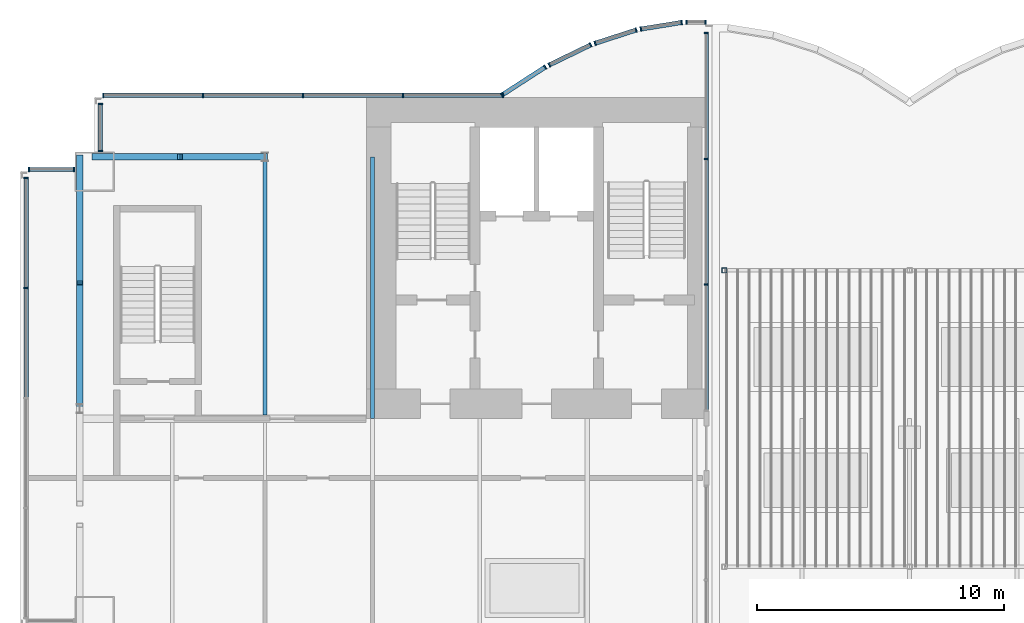
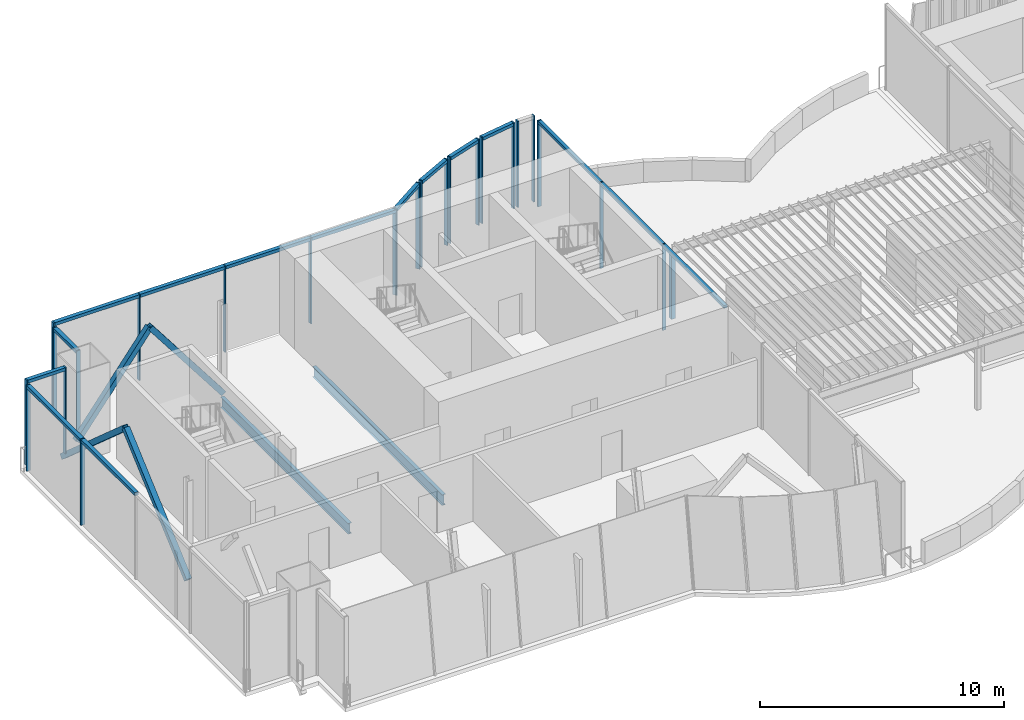
# One storey, part 5 of 18: 44 members, 2 beams, 11 elements without a shape of their own.
"""IFC4 building model written with IfcOpenShell, lengths in metres."""

import ifcopenshell
import ifcopenshell.guid

model = None  # the IFC model being written
_history = None  # IfcOwnerHistory: only IFC2X3 demands one
_inside = {}  # id of a spatial element -> (the spatial element, [elements in it])
_under = {}  # id of a project, library or spatial element -> (it, [spatial elements below it])
_declared = {}  # id of a project -> (the project, [libraries it declares])
_typed = {}  # id of a type object -> (the type object, [elements of that type])
_made_of = {}  # id of a material, layer set ... -> (it, [elements and type objects made of it])


def new_model(schema):
    """Start an empty IFC model of exactly this schema.

    Asked for "IFC4X3", IfcOpenShell would pick the latest addendum, in which some entities
    have other attributes; the version numbers below select the first issue.
    IFC2X3 requires an IfcOwnerHistory on every rooted entity: one is made here for all.
    """
    global model, _history
    if schema == "IFC4X3":
        model = ifcopenshell.file(schema_version=(4, 3, 0, 0))
    else:
        model = ifcopenshell.file(schema=schema)
    _inside.clear()
    _under.clear()
    _declared.clear()
    _typed.clear()
    _made_of.clear()
    _history = None
    if model.schema == "IFC2X3":
        org = make("IfcOrganization", Name="unknown")
        user = make(
            "IfcPersonAndOrganization",
            ThePerson=make("IfcPerson", FamilyName="unknown"),
            TheOrganization=org,
        )
        app = make(
            "IfcApplication",
            ApplicationDeveloper=org,
            Version="unknown",
            ApplicationFullName="unknown",
            ApplicationIdentifier="unknown",
        )
        _history = make(
            "IfcOwnerHistory",
            OwningUser=user,
            OwningApplication=app,
            ChangeAction="ADDED",
            CreationDate=0,
        )
    return model


def make(cls, **values):
    """One entity of the class cls with the attributes given. An attribute that is None is left unset."""
    return model.create_entity(
        cls, **{name: value for name, value in values.items() if value is not None}
    )


def rooted(cls, **values):
    """An entity with a GlobalId (a new one), such as an element, a storey or a relation."""
    return make(cls, GlobalId=ifcopenshell.guid.new(), OwnerHistory=_history, **values)


def si_unit(unit_type, name, prefix=None):
    """IfcSIUnit, for example si_unit("LENGTHUNIT", "METRE", prefix="MILLI")."""
    return make("IfcSIUnit", UnitType=unit_type, Prefix=prefix, Name=name)


def assignment(units):
    """IfcUnitAssignment: the units of a project."""
    return None if units is None else make("IfcUnitAssignment", Units=units)


def point(xyz):
    """IfcCartesianPoint."""
    return None if xyz is None else make("IfcCartesianPoint", Coordinates=xyz)


def direction(xyz):
    """IfcDirection."""
    return None if xyz is None else make("IfcDirection", DirectionRatios=xyz)


def frame(location, z_axis=None, x_axis=None):
    """IfcAxis2Placement3D, a coordinate frame: its origin and axes. An axis left out is left unset."""
    return make(
        "IfcAxis2Placement3D",
        Location=point(location),
        Axis=direction(z_axis),
        RefDirection=direction(x_axis),
    )


def frame_2d(location, x_axis=None):
    """IfcAxis2Placement2D, a coordinate frame in the plane: its origin and x axis."""
    return make(
        "IfcAxis2Placement2D", Location=point(location), RefDirection=direction(x_axis)
    )


def origin():
    """The frame at (0, 0, 0) with its axes left unset."""
    return frame((0.0, 0.0, 0.0))


def origin_2d():
    """The frame at (0, 0) in the plane with its x axis left unset."""
    return frame_2d((0.0, 0.0))


def place(relative_to, where):
    """IfcLocalPlacement: puts the frame where relative to a parent placement (None: the world)."""
    return make(
        "IfcLocalPlacement", PlacementRelTo=relative_to, RelativePlacement=where
    )


def context(
    kind, dimensions, precision=None, world=None, true_north=None, identifier=None
):
    """IfcGeometricRepresentationContext, for example the 3D "Model" context."""
    return make(
        "IfcGeometricRepresentationContext",
        ContextIdentifier=identifier,
        ContextType=kind,
        CoordinateSpaceDimension=dimensions,
        Precision=precision,
        WorldCoordinateSystem=world,
        TrueNorth=true_north,
    )


def subcontext(parent, identifier, kind, view, scale=None):
    """IfcGeometricRepresentationSubContext, for example "Body" below "Model"."""
    return make(
        "IfcGeometricRepresentationSubContext",
        ContextIdentifier=identifier,
        ContextType=kind,
        ParentContext=parent,
        TargetScale=scale,
        TargetView=view,
    )


def project(units=None, contexts=None):
    """IfcProject with its units and contexts."""
    return rooted(
        "IfcProject",
        Name="project",
        RepresentationContexts=contexts,
        UnitsInContext=assignment(units),
    )


def spatial(cls, under=None, at=None, **own):
    """A site, building, storey or space (cls), placed at a placement, below another one or the project."""
    s = rooted(cls, ObjectPlacement=at, **own)
    if under is not None:
        _under.setdefault(under.id(), (under, []))[1].append(s)
    return s


def profile(cls, at=None, kind="AREA", **sizes):
    """A parametric profile (cls). Its sizes go by their IFC names, for example OverallWidth=200.0."""
    return make(cls, ProfileType=kind, Position=at, **sizes)


def rectangle(**sizes):
    """IfcRectangleProfileDef."""
    return profile("IfcRectangleProfileDef", **sizes)


def hollow_rectangle(**sizes):
    """IfcRectangleHollowProfileDef."""
    return profile("IfcRectangleHollowProfileDef", **sizes)


def i_section(**sizes):
    """IfcIShapeProfileDef."""
    return profile("IfcIShapeProfileDef", **sizes)


def extrude(swept, where, along, depth):
    """IfcExtrudedAreaSolid: the profile swept, set in the frame where, extruded along a direction by depth."""
    return make(
        "IfcExtrudedAreaSolid",
        SweptArea=swept,
        Position=where,
        ExtrudedDirection=direction(along),
        Depth=depth,
    )


def shape(context_of_items, identifier, shape_type, items):
    """IfcShapeRepresentation: the items that make up one representation, for example the "Body"."""
    return make(
        "IfcShapeRepresentation",
        ContextOfItems=context_of_items,
        RepresentationIdentifier=identifier,
        RepresentationType=shape_type,
        Items=items,
    )


def material(Name=None, Category=None):
    """IfcMaterial."""
    return make("IfcMaterial", Name=Name, Category=Category)


def material_profile(
    of_material, cross_section, Name=None, Category=None, Priority=None
):
    """IfcMaterialProfile: a cross section and its material."""
    return make(
        "IfcMaterialProfile",
        Name=Name,
        Material=of_material,
        Profile=cross_section,
        Priority=Priority,
        Category=Category,
    )


def profile_set(profiles, Name=None, composite=None):
    """IfcMaterialProfileSet."""
    return make(
        "IfcMaterialProfileSet",
        Name=Name,
        MaterialProfiles=profiles,
        CompositeProfile=composite,
    )


def made_of(thing, what):
    """Note that an element or type object is made of a material, layer set ...; save() writes the relation."""
    if what is not None:
        _made_of.setdefault(what.id(), (what, []))[1].append(thing)
    return thing


def type_object(cls, material=None, **own):
    """A type object (cls), such as IfcWallType, which elements share."""
    return made_of(rooted(cls, **own), material)


def element(
    cls,
    number,
    at=None,
    inside=None,
    cuts=None,
    type_object=None,
    material=None,
    context=None,
    identifier="Body",
    shape_type=None,
    held_by="IfcProductDefinitionShape",
    body=None,
    shapes=None,
    **own,
):
    """One element of the class cls, such as IfcWall. Its Tag is "e" and its number.

    at: its placement. inside: the storey or other place that contains it. cuts: it is an
    opening in that element (IfcRelVoidsElement). A single representation is given by context,
    identifier, shape_type and body (its items); several are given by shapes. held_by: the class
    of the entity that holds the representations. save() writes the other relations.
    """
    e = rooted(cls, Tag="e%d" % number, ObjectPlacement=at, **own)
    if body is not None:
        shapes = [shape(context, identifier, shape_type, body)]
    if shapes is not None:
        e.Representation = make(held_by, Representations=shapes)
    if inside is not None:
        _inside.setdefault(inside.id(), (inside, []))[1].append(e)
    if cuts is not None:
        rooted(
            "IfcRelVoidsElement", RelatingBuildingElement=cuts, RelatedOpeningElement=e
        )
    if type_object is not None:
        _typed.setdefault(type_object.id(), (type_object, []))[1].append(e)
    return made_of(e, material)


def aggregate(whole, parts):
    """IfcRelAggregates: a whole, such as a stair, and the parts it consists of."""
    return rooted("IfcRelAggregates", RelatingObject=whole, RelatedObjects=parts)


def save(model, path):
    """Write the relations noted so far, then the file.

    IfcRelAggregates (storeys below a building ...), IfcRelContainedInSpatialStructure (elements
    in a storey), IfcRelDefinesByType, IfcRelAssociatesMaterial and IfcRelDeclares: one each for
    every whole, place, type object, material and project.
    """
    for whole, parts in _under.values():
        aggregate(whole, parts)
    for where, things in _inside.values():
        rooted(
            "IfcRelContainedInSpatialStructure",
            RelatedElements=things,
            RelatingStructure=where,
        )
    for kind, things in _typed.values():
        rooted("IfcRelDefinesByType", RelatedObjects=things, RelatingType=kind)
    for what, things in _made_of.values():
        rooted("IfcRelAssociatesMaterial", RelatedObjects=things, RelatingMaterial=what)
    for by, libraries in _declared.values():
        rooted("IfcRelDeclares", RelatingContext=by, RelatedDefinitions=libraries)
    model.write(path)


model = new_model("IFC4")

# Units and contexts
model_context = context("Model", 3, precision=1e-05, world=origin(), true_north=direction((0.0, 1.0)))
body_context = subcontext(model_context, "Body", "Model", "MODEL_VIEW")
ifc_project = project(units=[si_unit("LENGTHUNIT", "METRE"), si_unit("AREAUNIT", "SQUARE_METRE"), si_unit("VOLUMEUNIT", "CUBIC_METRE"), si_unit("PLANEANGLEUNIT", "RADIAN"), si_unit("MASSUNIT", "GRAM", prefix="KILO")], contexts=[model_context])

# Site, building, storey
site_placement = place(None, origin())
site = spatial("IfcSite", under=ifc_project, at=site_placement, CompositionType="ELEMENT")
building_placement = place(site_placement, origin())
building = spatial("IfcBuilding", under=site, at=building_placement, Name="Bicima Exchange Tower", CompositionType="ELEMENT")
storey_placement = place(building_placement, frame((0.0, 0.0, 347.89990234375)))
storey = spatial("IfcBuildingStorey", under=building, at=storey_placement, Name="L78", CompositionType="ELEMENT", Elevation=347.89990234375)

# Curtain wall, members
ifc_material_1 = material(Name="Anodised bronze aluminium", Category="aluminium")
curtain_wall_type_1 = type_object("IfcCurtainWallType", Name="Crown glass wall", PredefinedType="NOTDEFINED", material=ifc_material_1)
curtain_wall_1_placement = place(storey_placement, origin())
curtain_wall_1 = element("IfcCurtainWall", 1, at=curtain_wall_1_placement, inside=storey, type_object=curtain_wall_type_1, Name="Crown glass wall L78 run 3", PredefinedType="NOTDEFINED")
ifc_material_profile_1 = material_profile(ifc_material_1, rectangle(XDim=0.179931640625, YDim=0.06005859375, at=origin_2d()))
ifc_profile_set_1 = profile_set([ifc_material_profile_1], Name="Anodised bronze aluminium")
member_type_1 = type_object("IfcMemberType", Name="Crown glass wall mullion 60 x 180", PredefinedType="MULLION", material=ifc_profile_set_1)
member_1_placement = place(storey_placement, frame((-8.260009765625, 3.052978515625, 0.0), z_axis=(0.0, 0.0, 1.0), x_axis=(0.0, -1.0, 0.0)))
member_1 = element("IfcMember", 2, at=member_1_placement, type_object=member_type_1, Name="Crown glass wall mullion 1", PredefinedType="MULLION", context=body_context, shape_type="SweptSolid", body=[
    extrude(rectangle(XDim=0.179931640625, YDim=0.06005859375, at=origin_2d()), origin(), (0.0, 0.0, 1.0), 4.300048828125),
])
member_2_placement = place(storey_placement, frame((-9.0283203125, 3.052978515625, 0.0), z_axis=(0.0, 0.0, 1.0), x_axis=(0.0, -1.0, 0.0)))
member_2 = element("IfcMember", 3, at=member_2_placement, type_object=member_type_1, Name="Crown glass wall mullion 2", PredefinedType="MULLION", context=body_context, shape_type="SweptSolid", body=[
    extrude(rectangle(XDim=0.179931640625, YDim=0.06005859375, at=origin_2d()), origin(), (0.0, 0.0, 1.0), 4.300048828125),
])
aggregate(curtain_wall_1, [member_1, member_2])

curtain_wall_2_placement = place(storey_placement, origin())
curtain_wall_2 = element("IfcCurtainWall", 4, at=curtain_wall_2_placement, inside=storey, type_object=curtain_wall_type_1, Name="Crown glass wall L78 run 4", PredefinedType="NOTDEFINED")
member_3_placement = place(storey_placement, frame((-9.22900390625, 3.044189453125, 0.0), z_axis=(0.0, 0.0, 1.0), x_axis=(0.159550386184, -0.987189786347, 0.0)))
member_3 = element("IfcMember", 5, at=member_3_placement, type_object=member_type_1, Name="Crown glass wall mullion 1", PredefinedType="MULLION", context=body_context, shape_type="SweptSolid", body=[
    extrude(rectangle(XDim=0.179931640625, YDim=0.06005859375, at=origin_2d()), origin(), (0.0, 0.0, 1.0), 4.300048828125),
])
member_4_placement = place(storey_placement, frame((-10.878662109375, 2.777587890625, 0.0), z_axis=(0.0, 0.0, 1.0), x_axis=(0.159550386184, -0.987189786347, 0.0)))
member_4 = element("IfcMember", 6, at=member_4_placement, type_object=member_type_1, Name="Crown glass wall mullion 2", PredefinedType="MULLION", context=body_context, shape_type="SweptSolid", body=[
    extrude(rectangle(XDim=0.179931640625, YDim=0.06005859375, at=origin_2d()), origin(), (0.0, 0.0, 1.0), 4.300048828125),
])

curtain_wall_3_placement = place(storey_placement, origin())
curtain_wall_3 = element("IfcCurtainWall", 7, at=curtain_wall_3_placement, inside=storey, type_object=curtain_wall_type_1, Name="Crown glass wall L78 run 5", PredefinedType="NOTDEFINED")
member_5_placement = place(storey_placement, frame((-11.072998046875, 2.73779296875, 0.0), z_axis=(0.0, 0.0, 1.0), x_axis=(0.307572519808, -0.951524642381, 0.0)))
member_5 = element("IfcMember", 8, at=member_5_placement, type_object=member_type_1, Name="Crown glass wall mullion 1", PredefinedType="MULLION", context=body_context, shape_type="SweptSolid", body=[
    extrude(rectangle(XDim=0.179931640625, YDim=0.06005859375, at=origin_2d()), origin(), (0.0, 0.0, 1.0), 4.300048828125),
])
member_6_placement = place(storey_placement, frame((-12.731689453125, 2.20166015625, 0.0), z_axis=(0.0, 0.0, 1.0), x_axis=(0.307572519808, -0.951524642381, 0.0)))
member_6 = element("IfcMember", 9, at=member_6_placement, type_object=member_type_1, Name="Crown glass wall mullion 2", PredefinedType="MULLION", context=body_context, shape_type="SweptSolid", body=[
    extrude(rectangle(XDim=0.179931640625, YDim=0.06005859375, at=origin_2d()), origin(), (0.0, 0.0, 1.0), 4.300048828125),
])

curtain_wall_4_placement = place(storey_placement, origin())
curtain_wall_4 = element("IfcCurtainWall", 10, at=curtain_wall_4_placement, inside=storey, type_object=curtain_wall_type_1, Name="Crown glass wall L78 run 6", PredefinedType="NOTDEFINED")
member_7_placement = place(storey_placement, frame((-12.913818359375, 2.135009765625, 0.0), z_axis=(0.0, 0.0, 1.0), x_axis=(0.436264762204, -0.899818346812, 0.0)))
member_7 = element("IfcMember", 11, at=member_7_placement, type_object=member_type_1, Name="Crown glass wall mullion 1", PredefinedType="MULLION", context=body_context, shape_type="SweptSolid", body=[
    extrude(rectangle(XDim=0.179931640625, YDim=0.06005859375, at=origin_2d()), origin(), (0.0, 0.0, 1.0), 4.300048828125),
])
member_8_placement = place(storey_placement, frame((-14.585205078125, 1.32470703125, 0.0), z_axis=(0.0, 0.0, 1.0), x_axis=(0.436264762204, -0.899818346812, 0.0)))
member_8 = element("IfcMember", 12, at=member_8_placement, type_object=member_type_1, Name="Crown glass wall mullion 2", PredefinedType="MULLION", context=body_context, shape_type="SweptSolid", body=[
    extrude(rectangle(XDim=0.179931640625, YDim=0.06005859375, at=origin_2d()), origin(), (0.0, 0.0, 1.0), 4.300048828125),
])

curtain_wall_5_placement = place(storey_placement, origin())
curtain_wall_5 = element("IfcCurtainWall", 13, at=curtain_wall_5_placement, inside=storey, type_object=curtain_wall_type_1, Name="Crown glass wall L78 run 7", PredefinedType="NOTDEFINED")
member_9_placement = place(storey_placement, frame((-14.752685546875, 1.23681640625, 0.0), z_axis=(0.0, 0.0, 1.0), x_axis=(0.542910648791, -0.839790466384, 0.0)))
member_9 = element("IfcMember", 14, at=member_9_placement, type_object=member_type_1, Name="Crown glass wall mullion 1", PredefinedType="MULLION", context=body_context, shape_type="SweptSolid", body=[
    extrude(rectangle(XDim=0.179931640625, YDim=0.06005859375, at=origin_2d()), origin(), (0.0, 0.0, 1.0), 4.300048828125),
])
member_10_placement = place(storey_placement, frame((-16.505126953125, 0.10400390625, 0.0), z_axis=(0.0, 0.0, 1.0), x_axis=(0.542910648791, -0.839790466384, 0.0)))
member_10 = element("IfcMember", 15, at=member_10_placement, type_object=member_type_1, Name="Crown glass wall mullion 2", PredefinedType="MULLION", context=body_context, shape_type="SweptSolid", body=[
    extrude(rectangle(XDim=0.179931640625, YDim=0.06005859375, at=origin_2d()), origin(), (0.0, 0.0, 1.0), 4.300048828125),
])

curtain_wall_6_placement = place(storey_placement, origin())
curtain_wall_6 = element("IfcCurtainWall", 16, at=curtain_wall_6_placement, inside=storey, type_object=curtain_wall_type_1, Name="Crown glass wall L78 run 8", PredefinedType="NOTDEFINED")
member_11_placement = place(storey_placement, frame((-16.462158203125, 0.090087890625, 0.0), z_axis=(0.0, 0.0, 1.0), x_axis=(0.0, -1.0, 0.0)))
member_11 = element("IfcMember", 17, at=member_11_placement, type_object=member_type_1, Name="Crown glass wall mullion 1", PredefinedType="MULLION", context=body_context, shape_type="SweptSolid", body=[
    extrude(rectangle(XDim=0.179931640625, YDim=0.06005859375, at=origin_2d()), origin(), (0.0, 0.0, 1.0), 4.300048828125),
])
member_12_placement = place(storey_placement, frame((-20.509033203125, 0.090087890625, 0.0), z_axis=(0.0, 0.0, 1.0), x_axis=(0.0, -1.0, 0.0)))
member_12 = element("IfcMember", 18, at=member_12_placement, type_object=member_type_1, Name="Crown glass wall mullion 2", PredefinedType="MULLION", context=body_context, shape_type="SweptSolid", body=[
    extrude(rectangle(XDim=0.179931640625, YDim=0.06005859375, at=origin_2d()), origin(), (0.0, 0.0, 1.0), 4.300048828125),
])
member_13_placement = place(storey_placement, frame((-24.55615234375, 0.090087890625, 0.0), z_axis=(0.0, 0.0, 1.0), x_axis=(0.0, -1.0, 0.0)))
member_13 = element("IfcMember", 19, at=member_13_placement, type_object=member_type_1, Name="Crown glass wall mullion 3", PredefinedType="MULLION", context=body_context, shape_type="SweptSolid", body=[
    extrude(rectangle(XDim=0.179931640625, YDim=0.06005859375, at=origin_2d()), origin(), (0.0, 0.0, 1.0), 4.300048828125),
])
member_14_placement = place(storey_placement, frame((-28.60302734375, 0.090087890625, 0.0), z_axis=(0.0, 0.0, 1.0), x_axis=(0.0, -1.0, 0.0)))
member_14 = element("IfcMember", 20, at=member_14_placement, type_object=member_type_1, Name="Crown glass wall mullion 4", PredefinedType="MULLION", context=body_context, shape_type="SweptSolid", body=[
    extrude(rectangle(XDim=0.179931640625, YDim=0.06005859375, at=origin_2d()), origin(), (0.0, 0.0, 1.0), 4.300048828125),
])
member_15_placement = place(storey_placement, frame((-32.64990234375, 0.090087890625, 0.0), z_axis=(0.0, 0.0, 1.0), x_axis=(0.0, -1.0, 0.0)))
member_15 = element("IfcMember", 21, at=member_15_placement, type_object=member_type_1, Name="Crown glass wall mullion 5", PredefinedType="MULLION", context=body_context, shape_type="SweptSolid", body=[
    extrude(rectangle(XDim=0.179931640625, YDim=0.06005859375, at=origin_2d()), origin(), (0.0, 0.0, 1.0), 4.300048828125),
])

curtain_wall_7_placement = place(storey_placement, origin())
curtain_wall_7 = element("IfcCurtainWall", 22, at=curtain_wall_7_placement, inside=storey, type_object=curtain_wall_type_1, Name="Crown glass wall L78 run 9", PredefinedType="NOTDEFINED")
member_16_placement = place(storey_placement, frame((-32.77001953125, -0.260009765625, 0.0), z_axis=(0.0, 0.0, 1.0), x_axis=(1.0, 0.0, 0.0)))
member_16 = element("IfcMember", 23, at=member_16_placement, type_object=member_type_1, Name="Crown glass wall mullion 1", PredefinedType="MULLION", context=body_context, shape_type="SweptSolid", body=[
    extrude(rectangle(XDim=0.179931640625, YDim=0.06005859375, at=origin_2d()), origin(), (0.0, 0.0, 1.0), 4.300048828125),
])
member_17_placement = place(storey_placement, frame((-32.77001953125, -2.169921875, 0.0), z_axis=(0.0, 0.0, 1.0), x_axis=(1.0, 0.0, 0.0)))
member_17 = element("IfcMember", 24, at=member_17_placement, type_object=member_type_1, Name="Crown glass wall mullion 2", PredefinedType="MULLION", context=body_context, shape_type="SweptSolid", body=[
    extrude(rectangle(XDim=0.179931640625, YDim=0.06005859375, at=origin_2d()), origin(), (0.0, 0.0, 1.0), 4.300048828125),
])

curtain_wall_8_placement = place(storey_placement, origin())
curtain_wall_8 = element("IfcCurtainWall", 25, at=curtain_wall_8_placement, inside=storey, type_object=curtain_wall_type_1, Name="Crown glass wall L78 run 10", PredefinedType="NOTDEFINED")
member_18_placement = place(storey_placement, frame((-33.830078125, -2.909912109375, 0.0), z_axis=(0.0, 0.0, 1.0), x_axis=(0.0, -1.0, 0.0)))
member_18 = element("IfcMember", 26, at=member_18_placement, type_object=member_type_1, Name="Crown glass wall mullion 1", PredefinedType="MULLION", context=body_context, shape_type="SweptSolid", body=[
    extrude(rectangle(XDim=0.179931640625, YDim=0.06005859375, at=origin_2d()), origin(), (0.0, 0.0, 1.0), 4.300048828125),
])
member_19_placement = place(storey_placement, frame((-35.64990234375, -2.909912109375, 0.0), z_axis=(0.0, 0.0, 1.0), x_axis=(0.0, -1.0, 0.0)))
member_19 = element("IfcMember", 27, at=member_19_placement, type_object=member_type_1, Name="Crown glass wall mullion 2", PredefinedType="MULLION", context=body_context, shape_type="SweptSolid", body=[
    extrude(rectangle(XDim=0.179931640625, YDim=0.06005859375, at=origin_2d()), origin(), (0.0, 0.0, 1.0), 4.300048828125),
])

curtain_wall_9_placement = place(storey_placement, origin())
curtain_wall_9 = element("IfcCurtainWall", 28, at=curtain_wall_9_placement, inside=storey, type_object=curtain_wall_type_1, Name="Crown glass wall L78 run 11", PredefinedType="NOTDEFINED")
member_20_placement = place(storey_placement, frame((-35.77001953125, -3.260009765625, 0.0), z_axis=(0.0, 0.0, 1.0), x_axis=(1.0, 0.0, 0.0)))
member_20 = element("IfcMember", 29, at=member_20_placement, type_object=member_type_1, Name="Crown glass wall mullion 1", PredefinedType="MULLION", context=body_context, shape_type="SweptSolid", body=[
    extrude(rectangle(XDim=0.179931640625, YDim=0.06005859375, at=origin_2d()), origin(), (0.0, 0.0, 1.0), 4.300048828125),
])
member_21_placement = place(storey_placement, frame((-35.77001953125, -7.715576171875, 0.0), z_axis=(0.0, 0.0, 1.0), x_axis=(1.0, 0.0, 0.0)))
member_21 = element("IfcMember", 30, at=member_21_placement, type_object=member_type_1, Name="Crown glass wall mullion 2", PredefinedType="MULLION", context=body_context, shape_type="SweptSolid", body=[
    extrude(rectangle(XDim=0.179931640625, YDim=0.06005859375, at=origin_2d()), origin(), (0.0, 0.0, 1.0), 4.300048828125),
])

# Member
ifc_material_profile_2 = material_profile(ifc_material_1, rectangle(XDim=0.179931640625, YDim=0.159912109375, at=origin_2d()))
ifc_profile_set_2 = profile_set([ifc_material_profile_2], Name="Anodised bronze aluminium")
member_type_2 = type_object("IfcMemberType", Name="Crown glass wall transom 160 x 180", PredefinedType="USERDEFINED", material=ifc_profile_set_2)
member_22_placement = place(storey_placement, frame((-9.258544921875, 3.039306640625, 4.22021484375), z_axis=(-0.987184958941, -0.159580252036, 0.0), x_axis=(0.159580252036, -0.987184958941, 0.0)))
member_22 = element("IfcMember", 31, at=member_22_placement, type_object=member_type_2, Name="Crown glass wall transom 1.1", ObjectType="TRANSOM", PredefinedType="USERDEFINED", context=body_context, shape_type="SweptSolid", body=[
    extrude(rectangle(XDim=0.179931640625, YDim=0.159912109375, at=origin_2d()), origin(), (0.0, 0.0, 1.0), 1.611083984375),
])

aggregate(curtain_wall_2, [member_3, member_4, member_22])

member_23_placement = place(storey_placement, frame((-11.1015625, 2.728515625, 4.22021484375), z_axis=(-0.951488244605, -0.307685099376, 0.0), x_axis=(0.307685099376, -0.951488244605, 0.0)))
member_23 = element("IfcMember", 32, at=member_23_placement, type_object=member_type_2, Name="Crown glass wall transom 1.1", ObjectType="TRANSOM", PredefinedType="USERDEFINED", context=body_context, shape_type="SweptSolid", body=[
    extrude(rectangle(XDim=0.179931640625, YDim=0.159912109375, at=origin_2d()), origin(), (0.0, 0.0, 1.0), 1.682861328125),
])

aggregate(curtain_wall_3, [member_5, member_6, member_23])

member_24_placement = place(storey_placement, frame((-12.94091796875, 2.121826171875, 4.22021484375), z_axis=(-0.899873884154, -0.436150195022, 0.0), x_axis=(0.436150195022, -0.899873884154, 0.0)))
member_24 = element("IfcMember", 33, at=member_24_placement, type_object=member_type_2, Name="Crown glass wall transom 1.1", ObjectType="TRANSOM", PredefinedType="USERDEFINED", context=body_context, shape_type="SweptSolid", body=[
    extrude(rectangle(XDim=0.179931640625, YDim=0.159912109375, at=origin_2d()), origin(), (0.0, 0.0, 1.0), 1.79736328125),
])

aggregate(curtain_wall_4, [member_7, member_8, member_24])

member_25_placement = place(storey_placement, frame((-14.77783203125, 1.220703125, 4.22021484375), z_axis=(-0.839751073679, -0.54297157776, 0.0), x_axis=(0.54297157776, -0.839751073679, 0.0)))
member_25 = element("IfcMember", 34, at=member_25_placement, type_object=member_type_2, Name="Crown glass wall transom 1.1", ObjectType="TRANSOM", PredefinedType="USERDEFINED", context=body_context, shape_type="SweptSolid", body=[
    extrude(rectangle(XDim=0.179931640625, YDim=0.159912109375, at=origin_2d()), origin(), (0.0, 0.0, 1.0), 2.02685546875),
])

aggregate(curtain_wall_5, [member_9, member_10, member_25])

member_26_placement = place(storey_placement, frame((-16.4921875, 0.090087890625, 4.22021484375), z_axis=(-1.0, 0.0, 0.0), x_axis=(0.0, -1.0, 0.0)))
member_26 = element("IfcMember", 35, at=member_26_placement, type_object=member_type_2, Name="Crown glass wall transom 1.1", ObjectType="TRANSOM", PredefinedType="USERDEFINED", context=body_context, shape_type="SweptSolid", body=[
    extrude(rectangle(XDim=0.179931640625, YDim=0.159912109375, at=origin_2d()), origin(), (0.0, 0.0, 1.0), 3.98681640625),
])

member_27_placement = place(storey_placement, frame((-20.5390625, 0.090087890625, 4.22021484375), z_axis=(-1.0, 0.0, 0.0), x_axis=(0.0, -1.0, 0.0)))
member_27 = element("IfcMember", 36, at=member_27_placement, type_object=member_type_2, Name="Crown glass wall transom 2.1", ObjectType="TRANSOM", PredefinedType="USERDEFINED", context=body_context, shape_type="SweptSolid", body=[
    extrude(rectangle(XDim=0.179931640625, YDim=0.159912109375, at=origin_2d()), origin(), (0.0, 0.0, 1.0), 3.987060546875),
])

member_28_placement = place(storey_placement, frame((-24.586181640625, 0.090087890625, 4.22021484375), z_axis=(-1.0, 0.0, 0.0), x_axis=(0.0, -1.0, 0.0)))
member_28 = element("IfcMember", 37, at=member_28_placement, type_object=member_type_2, Name="Crown glass wall transom 3.1", ObjectType="TRANSOM", PredefinedType="USERDEFINED", context=body_context, shape_type="SweptSolid", body=[
    extrude(rectangle(XDim=0.179931640625, YDim=0.159912109375, at=origin_2d()), origin(), (0.0, 0.0, 1.0), 3.98681640625),
])

member_29_placement = place(storey_placement, frame((-28.633056640625, 0.090087890625, 4.22021484375), z_axis=(-1.0, 0.0, 0.0), x_axis=(0.0, -1.0, 0.0)))
member_29 = element("IfcMember", 38, at=member_29_placement, type_object=member_type_2, Name="Crown glass wall transom 4.1", ObjectType="TRANSOM", PredefinedType="USERDEFINED", context=body_context, shape_type="SweptSolid", body=[
    extrude(rectangle(XDim=0.179931640625, YDim=0.159912109375, at=origin_2d()), origin(), (0.0, 0.0, 1.0), 3.987060546875),
])

aggregate(curtain_wall_6, [member_11, member_12, member_13, member_14, member_15, member_26, member_27, member_28, member_29])

member_30_placement = place(storey_placement, frame((-32.77001953125, -0.2900390625, 4.22021484375), z_axis=(0.0, -1.0, 0.0), x_axis=(1.0, 0.0, 0.0)))
member_30 = element("IfcMember", 39, at=member_30_placement, type_object=member_type_2, Name="Crown glass wall transom 1.1", ObjectType="TRANSOM", PredefinedType="USERDEFINED", context=body_context, shape_type="SweptSolid", body=[
    extrude(rectangle(XDim=0.179931640625, YDim=0.159912109375, at=origin_2d()), origin(), (0.0, 0.0, 1.0), 1.849853515625),
])

aggregate(curtain_wall_7, [member_16, member_17, member_30])

member_31_placement = place(storey_placement, frame((-33.860107421875, -2.909912109375, 4.22021484375), z_axis=(-1.0, 0.0, 0.0), x_axis=(0.0, -1.0, 0.0)))
member_31 = element("IfcMember", 40, at=member_31_placement, type_object=member_type_2, Name="Crown glass wall transom 1.1", ObjectType="TRANSOM", PredefinedType="USERDEFINED", context=body_context, shape_type="SweptSolid", body=[
    extrude(rectangle(XDim=0.179931640625, YDim=0.159912109375, at=origin_2d()), origin(), (0.0, 0.0, 1.0), 1.760009765625),
])

aggregate(curtain_wall_8, [member_18, member_19, member_31])

member_32_placement = place(storey_placement, frame((-35.77001953125, -3.2900390625, 4.22021484375), z_axis=(0.0, -1.0, 0.0), x_axis=(1.0, 0.0, 0.0)))
member_32 = element("IfcMember", 41, at=member_32_placement, type_object=member_type_2, Name="Crown glass wall transom 1.1", ObjectType="TRANSOM", PredefinedType="USERDEFINED", context=body_context, shape_type="SweptSolid", body=[
    extrude(rectangle(XDim=0.179931640625, YDim=0.159912109375, at=origin_2d()), origin(), (0.0, 0.0, 1.0), 4.3955078125),
])

member_33_placement = place(storey_placement, frame((-35.77001953125, -7.74560546875, 4.22021484375), z_axis=(0.0, -1.0, 0.0), x_axis=(1.0, 0.0, 0.0)))
member_33 = element("IfcMember", 42, at=member_33_placement, type_object=member_type_2, Name="Crown glass wall transom 2.1", ObjectType="TRANSOM", PredefinedType="USERDEFINED", context=body_context, shape_type="SweptSolid", body=[
    extrude(rectangle(XDim=0.179931640625, YDim=0.159912109375, at=origin_2d()), origin(), (0.0, 0.0, 1.0), 4.3955078125),
])

aggregate(curtain_wall_9, [member_20, member_21, member_32, member_33])

# Curtain wall, members
curtain_wall_type_2 = type_object("IfcCurtainWallType", Name="End face glass wall", PredefinedType="NOTDEFINED", material=ifc_material_1)
curtain_wall_10_placement = place(storey_placement, origin())
curtain_wall_10 = element("IfcCurtainWall", 43, at=curtain_wall_10_placement, inside=storey, type_object=curtain_wall_type_2, Name="End face glass wall L78 run 1.2", PredefinedType="NOTDEFINED")
ifc_material_profile_3 = material_profile(ifc_material_1, rectangle(XDim=0.159912109375, YDim=0.06005859375, at=origin_2d()))
ifc_profile_set_3 = profile_set([ifc_material_profile_3], Name="Anodised bronze aluminium")
member_type_3 = type_object("IfcMemberType", Name="End face glass wall mullion 60 x 160", PredefinedType="MULLION", material=ifc_profile_set_3)
member_34_placement = place(storey_placement, frame((-8.22998046875, -7.57568359375, 0.0), z_axis=(0.0, 0.0, 1.0), x_axis=(-1.0, 0.0, 0.0)))
member_34 = element("IfcMember", 44, at=member_34_placement, type_object=member_type_3, Name="End face glass wall mullion 2", PredefinedType="MULLION", context=body_context, shape_type="SweptSolid", body=[
    extrude(rectangle(XDim=0.159912109375, YDim=0.06005859375, at=origin_2d()), origin(), (0.0, 0.0, 1.0), 4.300048828125),
])
member_35_placement = place(storey_placement, frame((-8.22998046875, -2.481201171875, 0.0), z_axis=(0.0, 0.0, 1.0), x_axis=(-1.0, 0.0, 0.0)))
member_35 = element("IfcMember", 45, at=member_35_placement, type_object=member_type_3, Name="End face glass wall mullion 3", PredefinedType="MULLION", context=body_context, shape_type="SweptSolid", body=[
    extrude(rectangle(XDim=0.159912109375, YDim=0.06005859375, at=origin_2d()), origin(), (0.0, 0.0, 1.0), 4.300048828125),
])
member_36_placement = place(storey_placement, frame((-8.22998046875, 2.613037109375, 0.0), z_axis=(0.0, 0.0, 1.0), x_axis=(-1.0, 0.0, 0.0)))
member_36 = element("IfcMember", 46, at=member_36_placement, type_object=member_type_3, Name="End face glass wall mullion 4", PredefinedType="MULLION", context=body_context, shape_type="SweptSolid", body=[
    extrude(rectangle(XDim=0.159912109375, YDim=0.06005859375, at=origin_2d()), origin(), (0.0, 0.0, 1.0), 4.300048828125),
])
ifc_material_profile_4 = material_profile(ifc_material_1, rectangle(XDim=0.159912109375, YDim=0.139892578125, at=origin_2d()))
ifc_profile_set_4 = profile_set([ifc_material_profile_4], Name="Anodised bronze aluminium")
member_type_4 = type_object("IfcMemberType", Name="End face glass wall transom 140 x 160", PredefinedType="USERDEFINED", material=ifc_profile_set_4)
member_37_placement = place(storey_placement, frame((-8.22998046875, -12.639892578125, 4.22998046875), z_axis=(0.0, 1.0, 0.0), x_axis=(-1.0, 0.0, 0.0)))
member_37 = element("IfcMember", 47, at=member_37_placement, type_object=member_type_4, Name="End face glass wall transom 1.1", ObjectType="TRANSOM", PredefinedType="USERDEFINED", context=body_context, shape_type="SweptSolid", body=[
    extrude(rectangle(XDim=0.159912109375, YDim=0.139892578125, at=origin_2d()), origin(), (0.0, 0.0, 1.0), 5.0341796875),
])
member_38_placement = place(storey_placement, frame((-8.22998046875, -7.545654296875, 4.22998046875), z_axis=(0.0, 1.0, 0.0), x_axis=(-1.0, 0.0, 0.0)))
member_38 = element("IfcMember", 48, at=member_38_placement, type_object=member_type_4, Name="End face glass wall transom 2.1", ObjectType="TRANSOM", PredefinedType="USERDEFINED", context=body_context, shape_type="SweptSolid", body=[
    extrude(rectangle(XDim=0.159912109375, YDim=0.139892578125, at=origin_2d()), origin(), (0.0, 0.0, 1.0), 5.034423828125),
])
member_39_placement = place(storey_placement, frame((-8.22998046875, -2.451416015625, 4.22998046875), z_axis=(0.0, 1.0, 0.0), x_axis=(-1.0, 0.0, 0.0)))
member_39 = element("IfcMember", 49, at=member_39_placement, type_object=member_type_4, Name="End face glass wall transom 3.1", ObjectType="TRANSOM", PredefinedType="USERDEFINED", context=body_context, shape_type="SweptSolid", body=[
    extrude(rectangle(XDim=0.159912109375, YDim=0.139892578125, at=origin_2d()), origin(), (0.0, 0.0, 1.0), 5.034423828125),
])
aggregate(curtain_wall_10, [member_34, member_35, member_36, member_37, member_38, member_39])

# Beams
ifc_material_2 = material(Name="Steel ASTM A992 Gr 50", Category="steel")
ifc_material_profile_5 = material_profile(ifc_material_2, i_section(OverallWidth=0.165771484375, OverallDepth=0.5283203125, WebThickness=0.009765625, FlangeThickness=0.013671875, at=origin_2d()))
ifc_profile_set_5 = profile_set([ifc_material_profile_5], Name="Steel ASTM A992 Gr 50")
beam_type = type_object("IfcBeamType", Name="Floor beam W21x50", PredefinedType="JOIST", material=ifc_profile_set_5)
beam_1_placement = place(storey_placement, frame((-26.10009765625, -2.39990234375, -0.464111328125), z_axis=(0.0, -1.0, 0.0), x_axis=(1.0, 0.0, 0.0)))
element("IfcBeam", 50, at=beam_1_placement, inside=storey, type_object=beam_type, Name="Floor beam", PredefinedType="JOIST", context=body_context, shape_type="SweptSolid", body=[
    extrude(i_section(OverallWidth=0.165771484375, OverallDepth=0.5283203125, WebThickness=0.009765625, FlangeThickness=0.013671875, at=origin_2d()), origin(), (0.0, 0.0, 1.0), 10.44775390625),
])
beam_2_placement = place(storey_placement, frame((-21.75, -2.39990234375, -0.464111328125), z_axis=(0.0, -1.0, 0.0), x_axis=(1.0, 0.0, 0.0)))
element("IfcBeam", 51, at=beam_2_placement, inside=storey, type_object=beam_type, Name="Floor beam", PredefinedType="JOIST", context=body_context, shape_type="SweptSolid", body=[
    extrude(i_section(OverallWidth=0.165771484375, OverallDepth=0.5283203125, WebThickness=0.009765625, FlangeThickness=0.013671875, at=origin_2d()), origin(), (0.0, 0.0, 1.0), 10.60009765625),
])

# Curtain wall, member
curtain_wall_type_3 = type_object("IfcCurtainWallType", Name="Louvre screen", PredefinedType="NOTDEFINED", material=ifc_material_1)
curtain_wall_11_placement = place(storey_placement, origin())
curtain_wall_11 = element("IfcCurtainWall", 52, at=curtain_wall_11_placement, inside=storey, type_object=curtain_wall_type_3, Name="Slot roof louvre SCREEN", PredefinedType="NOTDEFINED")
ifc_material_3 = material(Name="Steel ASTM A572 Gr 50", Category="steel")
ifc_material_profile_6 = material_profile(ifc_material_3, hollow_rectangle(XDim=0.203125, YDim=0.203125, WallThickness=0.01171875, at=origin_2d()))
ifc_profile_set_6 = profile_set([ifc_material_profile_6], Name="Steel ASTM A572 Gr 50")
member_type_5 = type_object("IfcMemberType", Name="Louvre screen post HSS8x8x1/2", PredefinedType="USERDEFINED", material=ifc_profile_set_6)
member_40_placement = place(storey_placement, frame((-7.5, -7.0, 0.0), z_axis=(0.0, 0.0, 1.0), x_axis=(1.0, 0.0, 0.0)))
member_40 = element("IfcMember", 53, at=member_40_placement, type_object=member_type_5, Name="Louvre screen post", ObjectType="Louvre screen post", PredefinedType="USERDEFINED", context=body_context, shape_type="SweptSolid", body=[
    extrude(hollow_rectangle(XDim=0.203125, YDim=0.203125, WallThickness=0.01171875, at=origin_2d()), origin(), (0.0, 0.0, 1.0), 3.1962890625),
])
aggregate(curtain_wall_11, [member_40])

# Members
ifc_material_profile_7 = material_profile(ifc_material_3, hollow_rectangle(XDim=0.25390625, YDim=0.25390625, WallThickness=0.01171875, at=origin_2d()))
ifc_profile_set_7 = profile_set([ifc_material_profile_7], Name="Steel ASTM A572 Gr 50")
member_type_6 = type_object("IfcMemberType", Name="Mega brace HSS10x10x1/2", PredefinedType="BRACE", material=ifc_profile_set_7)
for number, where, z_axis, x_axis, name in (
    (54, (-33.0, -2.39990234375, 0.0), (0.608426120198, 0.0, 0.793610519248), (0.0, 1.0, 0.0), "Mega brace rear"),
    (55, (-26.10009765625, -2.39990234375, 0.0), (-0.608426120198, 0.0, 0.793610519248), (0.0, -1.0, 0.0), "Mega brace rear"),
):
    element("IfcMember", number, at=place(storey_placement, frame(where, z_axis=z_axis, x_axis=x_axis)), inside=storey, type_object=member_type_6, Name=name, PredefinedType="BRACE", context=body_context, shape_type="SweptSolid", body=[
        extrude(hollow_rectangle(XDim=0.25390625, YDim=0.25390625, WallThickness=0.01171875, at=origin_2d()), origin(), (0.0, 0.0, 1.0), 5.670166015625),
    ])
for number, where, z_axis, x_axis, name in (
    (56, (-33.60009765625, -2.39990234375, -0.546630859375), (0.0, -0.749844140428, 0.661614513948), (1.0, 0.0, 0.0), "Mega brace west end"),
    (57, (-33.60009765625, -12.60009765625, -0.546630859375), (0.0, 0.749844140428, 0.661614513948), (-1.0, 0.0, 0.0), "Mega brace west end"),
):
    element("IfcMember", number, at=place(storey_placement, frame(where, z_axis=z_axis, x_axis=x_axis)), inside=storey, type_object=member_type_6, Name=name, PredefinedType="BRACE", context=body_context, shape_type="SweptSolid", body=[
        extrude(hollow_rectangle(XDim=0.25390625, YDim=0.25390625, WallThickness=0.01171875, at=origin_2d()), origin(), (0.0, 0.0, 1.0), 6.801513671875),
    ])

save(model, "model.ifc")
